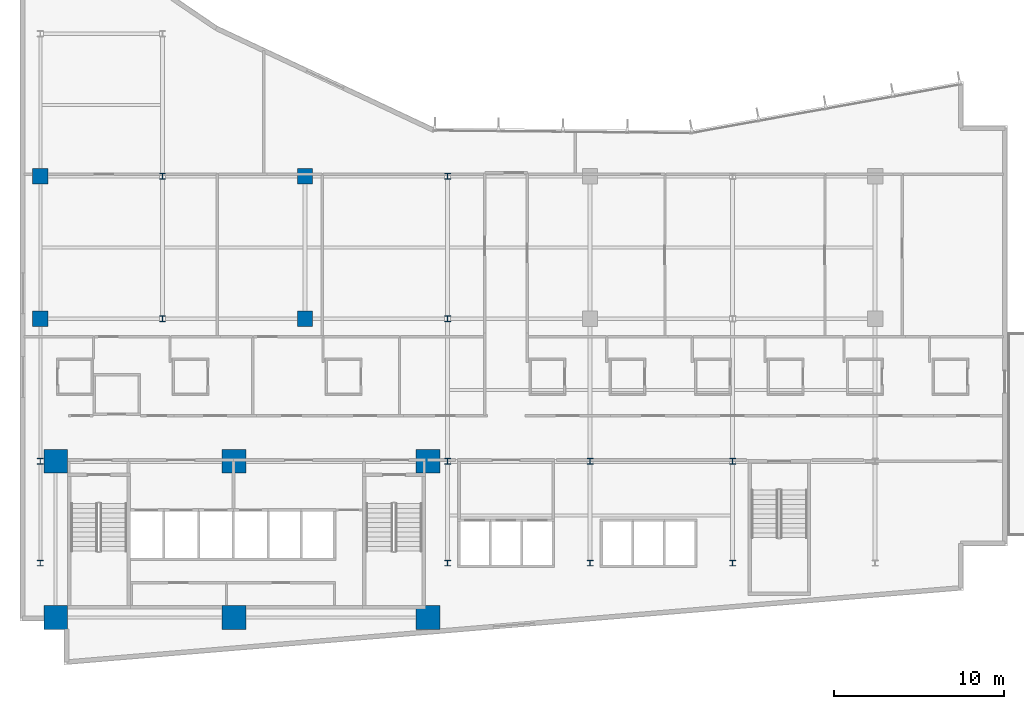
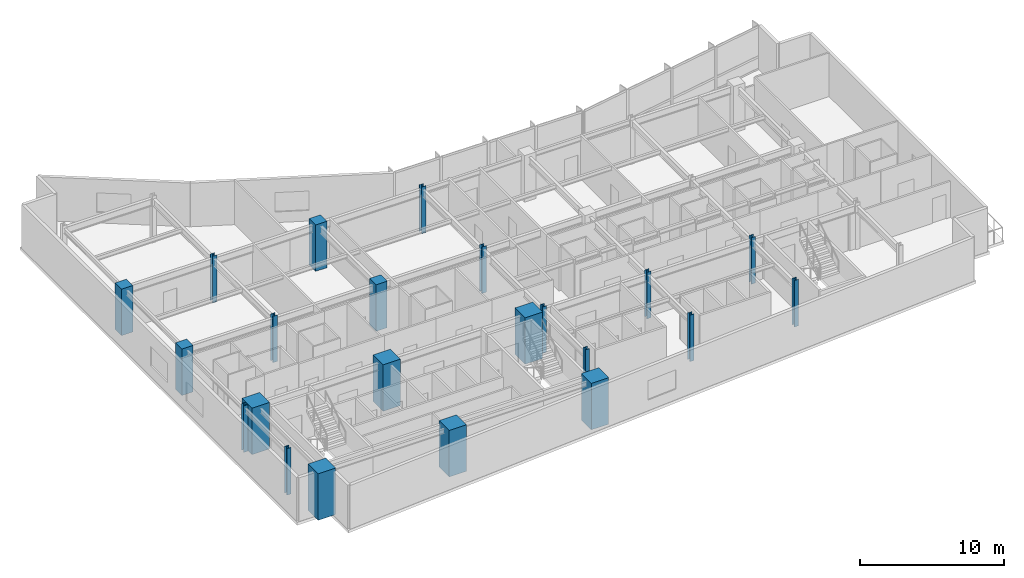
# One storey, part 1 of 19: 22 columns.
"""IFC4 building model written with IfcOpenShell, lengths in metres."""

from ifc_helpers import new_model, si_unit, direction, frame, origin, origin_2d, place, context, subcontext, project, spatial, rectangle, i_section, extrude, material, material_profile, profile_set, type_object, element, save


model = new_model("IFC4")

# Units and contexts
model_context = context("Model", 3, precision=1e-05, world=origin(), true_north=direction((0.0, 1.0)))
body_context = subcontext(model_context, "Body", "Model", "MODEL_VIEW")
ifc_project = project(units=[si_unit("LENGTHUNIT", "METRE"), si_unit("AREAUNIT", "SQUARE_METRE"), si_unit("VOLUMEUNIT", "CUBIC_METRE"), si_unit("PLANEANGLEUNIT", "RADIAN"), si_unit("MASSUNIT", "GRAM", prefix="KILO")], contexts=[model_context])

# Site, building, storey
site_placement = place(None, origin())
site = spatial("IfcSite", under=ifc_project, at=site_placement, CompositionType="ELEMENT")
building_placement = place(site_placement, origin())
building = spatial("IfcBuilding", under=site, at=building_placement, Name="Varnakote Quay Hospital", CompositionType="ELEMENT")
storey_placement = place(building_placement, frame((0.0, 0.0, 50.14990234375)))
storey = spatial("IfcBuildingStorey", under=building, at=storey_placement, Name="L12", CompositionType="ELEMENT", Elevation=50.14990234375)

# Columns
ifc_material_1 = material(Name="Concrete N80 (f'c 80 MPa)", Category="concrete")
ifc_material_profile_1 = material_profile(ifc_material_1, rectangle(XDim=1.39990234375, YDim=1.39990234375, at=origin_2d()), Name="RC-COL-1400x1400")
ifc_profile_set_1 = profile_set([ifc_material_profile_1], Name="Concrete N80 (f'c 80 MPa)")
column_type_1 = type_object("IfcColumnType", Name="COL-RC-1400", PredefinedType="COLUMN", material=ifc_profile_set_1)
for number, where, z_axis, x_axis, name in (
    (1, (2.10009765625, 2.800048828125, 0.0), (0.0, 0.0, 1.0), (1.0, 0.0, 0.0), "L12 Structural Column C-2-3"),
    (2, (12.6201171875, 2.800048828125, 0.0), (0.0, 0.0, 1.0), (1.0, 0.0, 0.0), "L12 Structural Column C-13-3"),
    (3, (24.050048828125, 2.800048828125, 0.0), (0.0, 0.0, 1.0), (1.0, 0.0, 0.0), "L12 Structural Column C-24-3"),
    (4, (2.10009765625, 12.0, 0.0), (0.0, 0.0, 1.0), (1.0, 0.0, 0.0), "L12 Structural Column C-2-12"),
    (5, (12.6201171875, 12.0, 0.0), (0.0, 0.0, 1.0), (1.0, 0.0, 0.0), "L12 Structural Column C-13-12"),
    (6, (24.050048828125, 12.0, 0.0), (0.0, 0.0, 1.0), (1.0, 0.0, 0.0), "L12 Structural Column C-24-12"),
):
    element("IfcColumn", number, at=place(storey_placement, frame(where, z_axis=z_axis, x_axis=x_axis)), inside=storey, type_object=column_type_1, Name=name, PredefinedType="COLUMN", context=body_context, shape_type="SweptSolid", body=[
        extrude(rectangle(XDim=1.39990234375, YDim=1.39990234375, at=origin_2d()), origin(), (0.0, 0.0, 1.0), 3.9501953125),
    ])
ifc_material_2 = material(Name="Concrete N50 (f'c 50 MPa)", Category="concrete")
ifc_material_profile_2 = material_profile(ifc_material_2, rectangle(XDim=0.89990234375, YDim=0.89990234375, at=origin_2d()), Name="RC-COL-900x900")
ifc_profile_set_2 = profile_set([ifc_material_profile_2], Name="Concrete N50 (f'c 50 MPa)")
column_type_2 = type_object("IfcColumnType", Name="COL-RC-900", PredefinedType="COLUMN", material=ifc_profile_set_2)
for number, where, z_axis, x_axis, name in (
    (7, (1.199951171875, 20.39990234375, 0.0), (0.0, 0.0, 1.0), (1.0, 0.0, 0.0), "L12 Structural Column C-1-20"),
    (8, (16.800048828125, 20.39990234375, 0.0), (0.0, 0.0, 1.0), (1.0, 0.0, 0.0), "L12 Structural Column C-17-20"),
    (9, (1.199951171875, 28.800048828125, 0.0), (0.0, 0.0, 1.0), (1.0, 0.0, 0.0), "L12 Structural Column C-1-29"),
    (10, (16.800048828125, 28.800048828125, 0.0), (0.0, 0.0, 1.0), (1.0, 0.0, 0.0), "L12 Structural Column C-17-29"),
):
    element("IfcColumn", number, at=place(storey_placement, frame(where, z_axis=z_axis, x_axis=x_axis)), inside=storey, type_object=column_type_2, Name=name, PredefinedType="COLUMN", context=body_context, shape_type="SweptSolid", body=[
        extrude(rectangle(XDim=0.89990234375, YDim=0.89990234375, at=origin_2d()), origin(), (0.0, 0.0, 1.0), 3.9501953125),
    ])
ifc_material_3 = material(Name="Structural steel AS/NZS 3678 Grade 350 (fy 340 MPa)", Category="steel")
ifc_material_profile_3 = material_profile(ifc_material_3, i_section(OverallWidth=0.35009765625, OverallDepth=0.340087890625, WebThickness=0.01611328125, FlangeThickness=0.028076171875, at=origin_2d()), Name="350WC197")
ifc_profile_set_3 = profile_set([ifc_material_profile_3], Name="Structural steel AS/NZS 3678 Grade 350 (fy 340 MPa)")
column_type_3 = type_object("IfcColumnType", Name="COL-STL-350WC197", PredefinedType="COLUMN", material=ifc_profile_set_3)
for number, where, z_axis, x_axis, name in (
    (11, (1.199951171875, 6.0, 0.0), (0.0, 0.0, 1.0), (1.0, 0.0, 0.0), "L12 Structural Column C-1-6"),
    (12, (25.199951171875, 6.0, 0.0), (0.0, 0.0, 1.0), (1.0, 0.0, 0.0), "L12 Structural Column C-25-6"),
    (13, (33.60009765625, 6.0, 0.0), (0.0, 0.0, 1.0), (1.0, 0.0, 0.0), "L12 Structural Column C-34-6"),
    (14, (42.0, 6.0, 0.0), (0.0, 0.0, 1.0), (1.0, 0.0, 0.0), "L12 Structural Column C-42-6"),
    (15, (1.199951171875, 12.0, 0.0), (0.0, 0.0, 1.0), (1.0, 0.0, 0.0), "L12 Structural Column C-1-12"),
    (16, (25.199951171875, 12.0, 0.0), (0.0, 0.0, 1.0), (1.0, 0.0, 0.0), "L12 Structural Column C-25-12"),
    (17, (33.60009765625, 12.0, 0.0), (0.0, 0.0, 1.0), (1.0, 0.0, 0.0), "L12 Structural Column C-34-12"),
    (18, (42.0, 12.0, 0.0), (0.0, 0.0, 1.0), (1.0, 0.0, 0.0), "L12 Structural Column C-42-12"),
    (19, (8.39990234375, 20.39990234375, 0.0), (0.0, 0.0, 1.0), (1.0, 0.0, 0.0), "L12 Structural Column C-8-20"),
    (20, (25.199951171875, 20.39990234375, 0.0), (0.0, 0.0, 1.0), (1.0, 0.0, 0.0), "L12 Structural Column C-25-20"),
    (21, (8.39990234375, 28.800048828125, 0.0), (0.0, 0.0, 1.0), (1.0, 0.0, 0.0), "L12 Structural Column C-8-29"),
    (22, (25.199951171875, 28.800048828125, 0.0), (0.0, 0.0, 1.0), (1.0, 0.0, 0.0), "L12 Structural Column C-25-29"),
):
    element("IfcColumn", number, at=place(storey_placement, frame(where, z_axis=z_axis, x_axis=x_axis)), inside=storey, type_object=column_type_3, Name=name, PredefinedType="COLUMN", context=body_context, shape_type="SweptSolid", body=[
        extrude(i_section(OverallWidth=0.35009765625, OverallDepth=0.340087890625, WebThickness=0.01611328125, FlangeThickness=0.028076171875, at=origin_2d()), origin(), (0.0, 0.0, 1.0), 3.9501953125),
    ])

save(model, "model.ifc")
